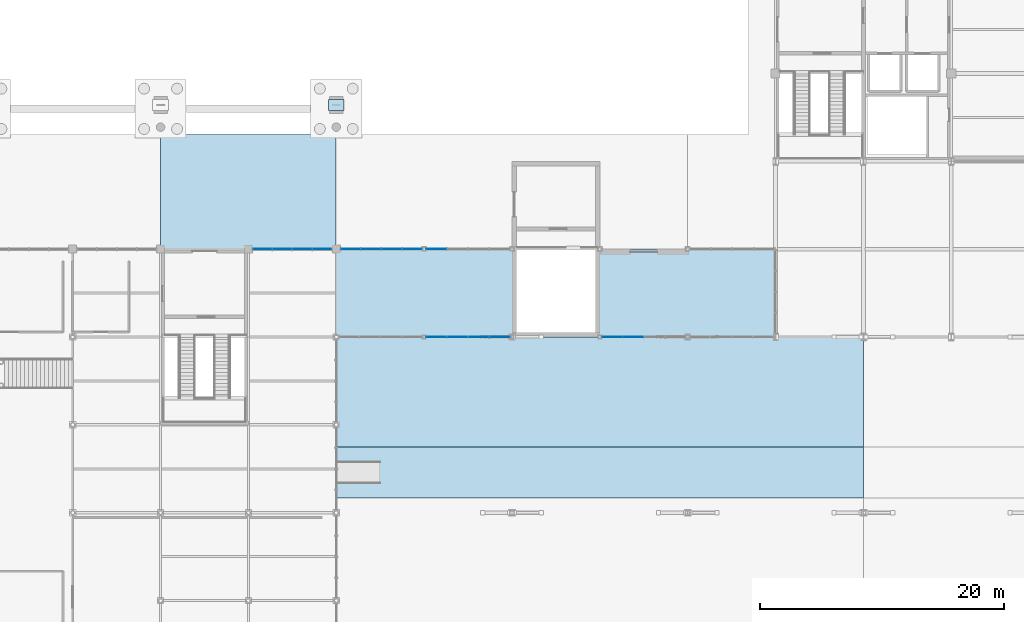
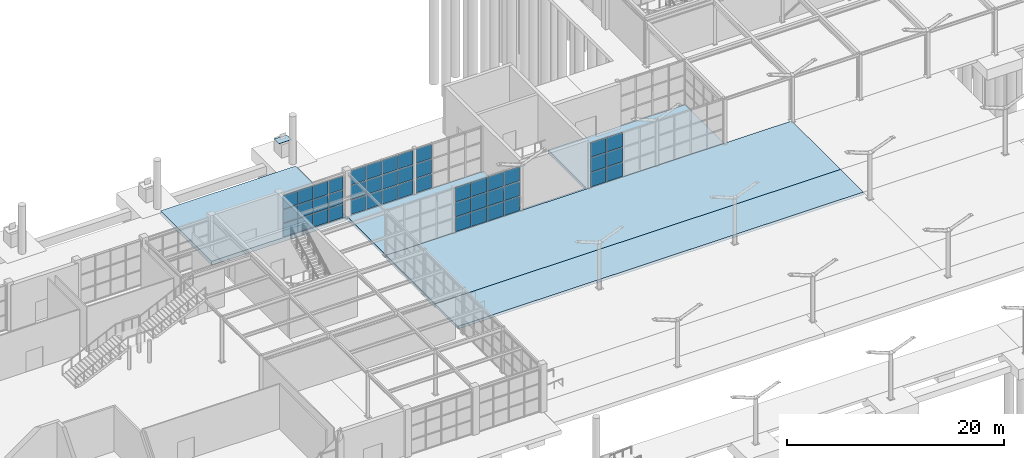
# One storey, part 46 of 75: 46 plates, 4 slabs, 5 elements without a shape of their own.
"""IFC4 building model written with IfcOpenShell, lengths in metres."""

from ifc_helpers import new_model, si_unit, direction, frame, origin, origin_2d, place, context, subcontext, project, spatial, polyline, rectangle, outline, extrude, material, layer, layer_set, type_object, element, aggregate, save


model = new_model("IFC4")

# Units and contexts
model_context = context("Model", 3, precision=1e-05, world=origin(), true_north=direction((0.0, 1.0)))
body_context = subcontext(model_context, "Body", "Model", "MODEL_VIEW")
ifc_project = project(units=[si_unit("LENGTHUNIT", "METRE"), si_unit("AREAUNIT", "SQUARE_METRE"), si_unit("VOLUMEUNIT", "CUBIC_METRE"), si_unit("PLANEANGLEUNIT", "RADIAN"), si_unit("MASSUNIT", "GRAM", prefix="KILO")], contexts=[model_context])

# Site, building, storey
site_placement = place(None, origin())
site = spatial("IfcSite", under=ifc_project, at=site_placement, CompositionType="ELEMENT")
building_placement = place(site_placement, origin())
building = spatial("IfcBuilding", under=site, at=building_placement, Name="Leyfeld Transit Interchange", CompositionType="ELEMENT")
storey_placement = place(building_placement, origin())
storey = spatial("IfcBuildingStorey", under=building, at=storey_placement, Name="L00", CompositionType="ELEMENT", Elevation=0.0)

# Curtain wall, plates
ifc_material_1 = material(Name="Anodised aluminium EN AW-6060 T66", Category="aluminium")
curtain_wall_type_1 = type_object("IfcCurtainWallType", Name="CW-SYS-PAS-7200", PredefinedType="NOTDEFINED", material=ifc_material_1)
curtain_wall_1_placement = place(storey_placement, origin())
curtain_wall_1 = element("IfcCurtainWall", 1, at=curtain_wall_1_placement, inside=storey, type_object=curtain_wall_type_1, Name="Curtain Wall CW-L00-020", PredefinedType="NOTDEFINED")
ifc_material_2 = material(Name="Triple low-E insulated glazing", Category="glass")
ifc_layer_1 = layer(ifc_material_2, 0.0380859375, Name="Triple low-E insulated glazing")
ifc_layer_set_1 = layer_set([ifc_layer_1], Name="Triple low-E insulated glazing")
plate_type_1 = type_object("IfcPlateType", Name="CW-PNL-GLZ-38", PredefinedType="CURTAIN_PANEL", material=ifc_layer_set_1)
plate_1_placement = place(storey_placement, frame((101.97998046875, 50.39990234375, 0.073486328125), z_axis=(0.0, 0.0, 1.0), x_axis=(1.0, 0.0, 0.0)))
plate_1 = element("IfcPlate", 2, at=plate_1_placement, type_object=plate_type_1, Name="Glazed Curtain Panel CW-L00-020-P01_1", PredefinedType="CURTAIN_PANEL", context=body_context, shape_type="SweptSolid", body=[
    extrude(rectangle(XDim=1.5830078125, YDim=0.0380859375, at=origin_2d()), origin(), (0.0, 0.0, 1.0), 1.60302734375),
])
plate_2_placement = place(storey_placement, frame((101.97998046875, 50.39990234375, 1.74853515625), z_axis=(0.0, 0.0, 1.0), x_axis=(1.0, 0.0, 0.0)))
plate_2 = element("IfcPlate", 3, at=plate_2_placement, type_object=plate_type_1, Name="Glazed Curtain Panel CW-L00-020-P01_2", PredefinedType="CURTAIN_PANEL", context=body_context, shape_type="SweptSolid", body=[
    extrude(rectangle(XDim=1.5830078125, YDim=0.0380859375, at=origin_2d()), origin(), (0.0, 0.0, 1.0), 1.60302734375),
])
plate_3_placement = place(storey_placement, frame((101.97998046875, 50.39990234375, 3.423583984375), z_axis=(0.0, 0.0, 1.0), x_axis=(1.0, 0.0, 0.0)))
plate_3 = element("IfcPlate", 4, at=plate_3_placement, type_object=plate_type_1, Name="Glazed Curtain Panel CW-L00-020-P01_3", PredefinedType="CURTAIN_PANEL", context=body_context, shape_type="SweptSolid", body=[
    extrude(rectangle(XDim=1.5830078125, YDim=0.0380859375, at=origin_2d()), origin(), (0.0, 0.0, 1.0), 1.60302734375),
])
plate_4_placement = place(storey_placement, frame((103.65380859375, 50.39990234375, 0.073486328125), z_axis=(0.0, 0.0, 1.0), x_axis=(1.0, 0.0, 0.0)))
plate_4 = element("IfcPlate", 5, at=plate_4_placement, type_object=plate_type_1, Name="Glazed Curtain Panel CW-L00-020-P02_1", PredefinedType="CURTAIN_PANEL", context=body_context, shape_type="SweptSolid", body=[
    extrude(rectangle(XDim=1.62060546875, YDim=0.0380859375, at=origin_2d()), origin(), (0.0, 0.0, 1.0), 1.60302734375),
])
plate_5_placement = place(storey_placement, frame((103.65380859375, 50.39990234375, 1.74853515625), z_axis=(0.0, 0.0, 1.0), x_axis=(1.0, 0.0, 0.0)))
plate_5 = element("IfcPlate", 6, at=plate_5_placement, type_object=plate_type_1, Name="Glazed Curtain Panel CW-L00-020-P02_2", PredefinedType="CURTAIN_PANEL", context=body_context, shape_type="SweptSolid", body=[
    extrude(rectangle(XDim=1.62060546875, YDim=0.0380859375, at=origin_2d()), origin(), (0.0, 0.0, 1.0), 1.60302734375),
])
plate_6_placement = place(storey_placement, frame((103.65380859375, 50.39990234375, 3.423583984375), z_axis=(0.0, 0.0, 1.0), x_axis=(1.0, 0.0, 0.0)))
plate_6 = element("IfcPlate", 7, at=plate_6_placement, type_object=plate_type_1, Name="Glazed Curtain Panel CW-L00-020-P02_3", PredefinedType="CURTAIN_PANEL", context=body_context, shape_type="SweptSolid", body=[
    extrude(rectangle(XDim=1.62060546875, YDim=0.0380859375, at=origin_2d()), origin(), (0.0, 0.0, 1.0), 1.60302734375),
])
plate_7_placement = place(storey_placement, frame((105.34619140625, 50.39990234375, 0.073486328125), z_axis=(0.0, 0.0, 1.0), x_axis=(1.0, 0.0, 0.0)))
plate_7 = element("IfcPlate", 8, at=plate_7_placement, type_object=plate_type_1, Name="Glazed Curtain Panel CW-L00-020-P03_1", PredefinedType="CURTAIN_PANEL", context=body_context, shape_type="SweptSolid", body=[
    extrude(rectangle(XDim=1.62060546875, YDim=0.0380859375, at=origin_2d()), origin(), (0.0, 0.0, 1.0), 1.60302734375),
])
plate_8_placement = place(storey_placement, frame((105.34619140625, 50.39990234375, 1.74853515625), z_axis=(0.0, 0.0, 1.0), x_axis=(1.0, 0.0, 0.0)))
plate_8 = element("IfcPlate", 9, at=plate_8_placement, type_object=plate_type_1, Name="Glazed Curtain Panel CW-L00-020-P03_2", PredefinedType="CURTAIN_PANEL", context=body_context, shape_type="SweptSolid", body=[
    extrude(rectangle(XDim=1.62060546875, YDim=0.0380859375, at=origin_2d()), origin(), (0.0, 0.0, 1.0), 1.60302734375),
])
plate_9_placement = place(storey_placement, frame((105.34619140625, 50.39990234375, 3.423583984375), z_axis=(0.0, 0.0, 1.0), x_axis=(1.0, 0.0, 0.0)))
plate_9 = element("IfcPlate", 10, at=plate_9_placement, type_object=plate_type_1, Name="Glazed Curtain Panel CW-L00-020-P03_3", PredefinedType="CURTAIN_PANEL", context=body_context, shape_type="SweptSolid", body=[
    extrude(rectangle(XDim=1.62060546875, YDim=0.0380859375, at=origin_2d()), origin(), (0.0, 0.0, 1.0), 1.60302734375),
])
plate_10_placement = place(storey_placement, frame((107.02001953125, 50.39990234375, 0.073486328125), z_axis=(0.0, 0.0, 1.0), x_axis=(1.0, 0.0, 0.0)))
plate_10 = element("IfcPlate", 11, at=plate_10_placement, type_object=plate_type_1, Name="Glazed Curtain Panel CW-L00-020-P04_1", PredefinedType="CURTAIN_PANEL", context=body_context, shape_type="SweptSolid", body=[
    extrude(rectangle(XDim=1.5830078125, YDim=0.0380859375, at=origin_2d()), origin(), (0.0, 0.0, 1.0), 1.60302734375),
])
plate_11_placement = place(storey_placement, frame((107.02001953125, 50.39990234375, 1.74853515625), z_axis=(0.0, 0.0, 1.0), x_axis=(1.0, 0.0, 0.0)))
plate_11 = element("IfcPlate", 12, at=plate_11_placement, type_object=plate_type_1, Name="Glazed Curtain Panel CW-L00-020-P04_2", PredefinedType="CURTAIN_PANEL", context=body_context, shape_type="SweptSolid", body=[
    extrude(rectangle(XDim=1.5830078125, YDim=0.0380859375, at=origin_2d()), origin(), (0.0, 0.0, 1.0), 1.60302734375),
])
plate_12_placement = place(storey_placement, frame((107.02001953125, 50.39990234375, 3.423583984375), z_axis=(0.0, 0.0, 1.0), x_axis=(1.0, 0.0, 0.0)))
plate_12 = element("IfcPlate", 13, at=plate_12_placement, type_object=plate_type_1, Name="Glazed Curtain Panel CW-L00-020-P04_3", PredefinedType="CURTAIN_PANEL", context=body_context, shape_type="SweptSolid", body=[
    extrude(rectangle(XDim=1.5830078125, YDim=0.0380859375, at=origin_2d()), origin(), (0.0, 0.0, 1.0), 1.60302734375),
])
aggregate(curtain_wall_1, [plate_1, plate_2, plate_3, plate_4, plate_5, plate_6, plate_7, plate_8, plate_9, plate_10, plate_11, plate_12])

curtain_wall_2_placement = place(storey_placement, origin())
curtain_wall_2 = element("IfcCurtainWall", 14, at=curtain_wall_2_placement, inside=storey, type_object=curtain_wall_type_1, Name="Curtain Wall CW-L00-021", PredefinedType="NOTDEFINED")
plate_13_placement = place(storey_placement, frame((109.0048828125, 50.39990234375, 0.073486328125), z_axis=(0.0, 0.0, 1.0), x_axis=(1.0, 0.0, 0.0)))
plate_13 = element("IfcPlate", 15, at=plate_13_placement, type_object=plate_type_1, Name="Glazed Curtain Panel CW-L00-021-P01_1", PredefinedType="CURTAIN_PANEL", context=body_context, shape_type="SweptSolid", body=[
    extrude(rectangle(XDim=1.633056640625, YDim=0.0380859375, at=origin_2d()), origin(), (0.0, 0.0, 1.0), 1.60302734375),
])
plate_14_placement = place(storey_placement, frame((109.0048828125, 50.39990234375, 1.74853515625), z_axis=(0.0, 0.0, 1.0), x_axis=(1.0, 0.0, 0.0)))
plate_14 = element("IfcPlate", 16, at=plate_14_placement, type_object=plate_type_1, Name="Glazed Curtain Panel CW-L00-021-P01_2", PredefinedType="CURTAIN_PANEL", context=body_context, shape_type="SweptSolid", body=[
    extrude(rectangle(XDim=1.633056640625, YDim=0.0380859375, at=origin_2d()), origin(), (0.0, 0.0, 1.0), 1.60302734375),
])
plate_15_placement = place(storey_placement, frame((109.0048828125, 50.39990234375, 3.423583984375), z_axis=(0.0, 0.0, 1.0), x_axis=(1.0, 0.0, 0.0)))
plate_15 = element("IfcPlate", 17, at=plate_15_placement, type_object=plate_type_1, Name="Glazed Curtain Panel CW-L00-021-P01_3", PredefinedType="CURTAIN_PANEL", context=body_context, shape_type="SweptSolid", body=[
    extrude(rectangle(XDim=1.633056640625, YDim=0.0380859375, at=origin_2d()), origin(), (0.0, 0.0, 1.0), 1.60302734375),
])
aggregate(curtain_wall_2, [plate_13, plate_14, plate_15])

curtain_wall_3_placement = place(storey_placement, origin())
curtain_wall_3 = element("IfcCurtainWall", 18, at=curtain_wall_3_placement, inside=storey, type_object=curtain_wall_type_1, Name="Curtain Wall CW-L00-025", PredefinedType="NOTDEFINED")
plate_16_placement = place(storey_placement, frame((125.12890625, 43.199951171875, 0.073486328125), z_axis=(0.0, 0.0, 1.0), x_axis=(-1.0, 0.0, 0.0)))
plate_16 = element("IfcPlate", 19, at=plate_16_placement, type_object=plate_type_1, Name="Glazed Curtain Panel CW-L00-025-P03_1", PredefinedType="CURTAIN_PANEL", context=body_context, shape_type="SweptSolid", body=[
    extrude(rectangle(XDim=1.67041015625, YDim=0.0380859375, at=origin_2d()), origin(), (0.0, 0.0, 1.0), 1.60302734375),
])
plate_17_placement = place(storey_placement, frame((125.12890625, 43.199951171875, 1.74853515625), z_axis=(0.0, 0.0, 1.0), x_axis=(-1.0, 0.0, 0.0)))
plate_17 = element("IfcPlate", 20, at=plate_17_placement, type_object=plate_type_1, Name="Glazed Curtain Panel CW-L00-025-P03_2", PredefinedType="CURTAIN_PANEL", context=body_context, shape_type="SweptSolid", body=[
    extrude(rectangle(XDim=1.67041015625, YDim=0.0380859375, at=origin_2d()), origin(), (0.0, 0.0, 1.0), 1.60302734375),
])
plate_18_placement = place(storey_placement, frame((125.12890625, 43.199951171875, 3.423583984375), z_axis=(0.0, 0.0, 1.0), x_axis=(-1.0, 0.0, 0.0)))
plate_18 = element("IfcPlate", 21, at=plate_18_placement, type_object=plate_type_1, Name="Glazed Curtain Panel CW-L00-025-P03_3", PredefinedType="CURTAIN_PANEL", context=body_context, shape_type="SweptSolid", body=[
    extrude(rectangle(XDim=1.67041015625, YDim=0.0380859375, at=origin_2d()), origin(), (0.0, 0.0, 1.0), 1.60302734375),
])
plate_19_placement = place(storey_placement, frame((123.405029296875, 43.199951171875, 0.073486328125), z_axis=(0.0, 0.0, 1.0), x_axis=(-1.0, 0.0, 0.0)))
plate_19 = element("IfcPlate", 22, at=plate_19_placement, type_object=plate_type_1, Name="Glazed Curtain Panel CW-L00-025-P04_1", PredefinedType="CURTAIN_PANEL", context=body_context, shape_type="SweptSolid", body=[
    extrude(rectangle(XDim=1.633056640625, YDim=0.0380859375, at=origin_2d()), origin(), (0.0, 0.0, 1.0), 1.60302734375),
])
plate_20_placement = place(storey_placement, frame((123.405029296875, 43.199951171875, 1.74853515625), z_axis=(0.0, 0.0, 1.0), x_axis=(-1.0, 0.0, 0.0)))
plate_20 = element("IfcPlate", 23, at=plate_20_placement, type_object=plate_type_1, Name="Glazed Curtain Panel CW-L00-025-P04_2", PredefinedType="CURTAIN_PANEL", context=body_context, shape_type="SweptSolid", body=[
    extrude(rectangle(XDim=1.633056640625, YDim=0.0380859375, at=origin_2d()), origin(), (0.0, 0.0, 1.0), 1.60302734375),
])
plate_21_placement = place(storey_placement, frame((123.405029296875, 43.199951171875, 3.423583984375), z_axis=(0.0, 0.0, 1.0), x_axis=(-1.0, 0.0, 0.0)))
plate_21 = element("IfcPlate", 24, at=plate_21_placement, type_object=plate_type_1, Name="Glazed Curtain Panel CW-L00-025-P04_3", PredefinedType="CURTAIN_PANEL", context=body_context, shape_type="SweptSolid", body=[
    extrude(rectangle(XDim=1.633056640625, YDim=0.0380859375, at=origin_2d()), origin(), (0.0, 0.0, 1.0), 1.60302734375),
])
aggregate(curtain_wall_3, [plate_16, plate_17, plate_18, plate_19, plate_20, plate_21])

curtain_wall_4_placement = place(storey_placement, origin())
curtain_wall_4 = element("IfcCurtainWall", 25, at=curtain_wall_4_placement, inside=storey, type_object=curtain_wall_type_1, Name="Curtain Wall CW-L00-026", PredefinedType="NOTDEFINED")
plate_22_placement = place(storey_placement, frame((114.195068359375, 43.199951171875, 0.073486328125), z_axis=(0.0, 0.0, 1.0), x_axis=(-1.0, 0.0, 0.0)))
plate_22 = element("IfcPlate", 26, at=plate_22_placement, type_object=plate_type_1, Name="Glazed Curtain Panel CW-L00-026-P01_1", PredefinedType="CURTAIN_PANEL", context=body_context, shape_type="SweptSolid", body=[
    extrude(rectangle(XDim=1.633056640625, YDim=0.0380859375, at=origin_2d()), origin(), (0.0, 0.0, 1.0), 1.60302734375),
])
plate_23_placement = place(storey_placement, frame((114.195068359375, 43.199951171875, 1.74853515625), z_axis=(0.0, 0.0, 1.0), x_axis=(-1.0, 0.0, 0.0)))
plate_23 = element("IfcPlate", 27, at=plate_23_placement, type_object=plate_type_1, Name="Glazed Curtain Panel CW-L00-026-P01_2", PredefinedType="CURTAIN_PANEL", context=body_context, shape_type="SweptSolid", body=[
    extrude(rectangle(XDim=1.633056640625, YDim=0.0380859375, at=origin_2d()), origin(), (0.0, 0.0, 1.0), 1.60302734375),
])
plate_24_placement = place(storey_placement, frame((114.195068359375, 43.199951171875, 3.423583984375), z_axis=(0.0, 0.0, 1.0), x_axis=(-1.0, 0.0, 0.0)))
plate_24 = element("IfcPlate", 28, at=plate_24_placement, type_object=plate_type_1, Name="Glazed Curtain Panel CW-L00-026-P01_3", PredefinedType="CURTAIN_PANEL", context=body_context, shape_type="SweptSolid", body=[
    extrude(rectangle(XDim=1.633056640625, YDim=0.0380859375, at=origin_2d()), origin(), (0.0, 0.0, 1.0), 1.60302734375),
])
plate_25_placement = place(storey_placement, frame((112.47119140625, 43.199951171875, 0.073486328125), z_axis=(0.0, 0.0, 1.0), x_axis=(-1.0, 0.0, 0.0)))
plate_25 = element("IfcPlate", 29, at=plate_25_placement, type_object=plate_type_1, Name="Glazed Curtain Panel CW-L00-026-P02_1", PredefinedType="CURTAIN_PANEL", context=body_context, shape_type="SweptSolid", body=[
    extrude(rectangle(XDim=1.67041015625, YDim=0.0380859375, at=origin_2d()), origin(), (0.0, 0.0, 1.0), 1.60302734375),
])
plate_26_placement = place(storey_placement, frame((112.47119140625, 43.199951171875, 1.74853515625), z_axis=(0.0, 0.0, 1.0), x_axis=(-1.0, 0.0, 0.0)))
plate_26 = element("IfcPlate", 30, at=plate_26_placement, type_object=plate_type_1, Name="Glazed Curtain Panel CW-L00-026-P02_2", PredefinedType="CURTAIN_PANEL", context=body_context, shape_type="SweptSolid", body=[
    extrude(rectangle(XDim=1.67041015625, YDim=0.0380859375, at=origin_2d()), origin(), (0.0, 0.0, 1.0), 1.60302734375),
])
plate_27_placement = place(storey_placement, frame((112.47119140625, 43.199951171875, 3.423583984375), z_axis=(0.0, 0.0, 1.0), x_axis=(-1.0, 0.0, 0.0)))
plate_27 = element("IfcPlate", 31, at=plate_27_placement, type_object=plate_type_1, Name="Glazed Curtain Panel CW-L00-026-P02_3", PredefinedType="CURTAIN_PANEL", context=body_context, shape_type="SweptSolid", body=[
    extrude(rectangle(XDim=1.67041015625, YDim=0.0380859375, at=origin_2d()), origin(), (0.0, 0.0, 1.0), 1.60302734375),
])
plate_28_placement = place(storey_placement, frame((110.728759765625, 43.199951171875, 0.073486328125), z_axis=(0.0, 0.0, 1.0), x_axis=(-1.0, 0.0, 0.0)))
plate_28 = element("IfcPlate", 32, at=plate_28_placement, type_object=plate_type_1, Name="Glazed Curtain Panel CW-L00-026-P03_1", PredefinedType="CURTAIN_PANEL", context=body_context, shape_type="SweptSolid", body=[
    extrude(rectangle(XDim=1.67041015625, YDim=0.0380859375, at=origin_2d()), origin(), (0.0, 0.0, 1.0), 1.60302734375),
])
plate_29_placement = place(storey_placement, frame((110.728759765625, 43.199951171875, 1.74853515625), z_axis=(0.0, 0.0, 1.0), x_axis=(-1.0, 0.0, 0.0)))
plate_29 = element("IfcPlate", 33, at=plate_29_placement, type_object=plate_type_1, Name="Glazed Curtain Panel CW-L00-026-P03_2", PredefinedType="CURTAIN_PANEL", context=body_context, shape_type="SweptSolid", body=[
    extrude(rectangle(XDim=1.67041015625, YDim=0.0380859375, at=origin_2d()), origin(), (0.0, 0.0, 1.0), 1.60302734375),
])
plate_30_placement = place(storey_placement, frame((110.728759765625, 43.199951171875, 3.423583984375), z_axis=(0.0, 0.0, 1.0), x_axis=(-1.0, 0.0, 0.0)))
plate_30 = element("IfcPlate", 34, at=plate_30_placement, type_object=plate_type_1, Name="Glazed Curtain Panel CW-L00-026-P03_3", PredefinedType="CURTAIN_PANEL", context=body_context, shape_type="SweptSolid", body=[
    extrude(rectangle(XDim=1.67041015625, YDim=0.0380859375, at=origin_2d()), origin(), (0.0, 0.0, 1.0), 1.60302734375),
])
plate_31_placement = place(storey_placement, frame((109.0048828125, 43.199951171875, 0.073486328125), z_axis=(0.0, 0.0, 1.0), x_axis=(-1.0, 0.0, 0.0)))
plate_31 = element("IfcPlate", 35, at=plate_31_placement, type_object=plate_type_1, Name="Glazed Curtain Panel CW-L00-026-P04_1", PredefinedType="CURTAIN_PANEL", context=body_context, shape_type="SweptSolid", body=[
    extrude(rectangle(XDim=1.633056640625, YDim=0.0380859375, at=origin_2d()), origin(), (0.0, 0.0, 1.0), 1.60302734375),
])
plate_32_placement = place(storey_placement, frame((109.0048828125, 43.199951171875, 1.74853515625), z_axis=(0.0, 0.0, 1.0), x_axis=(-1.0, 0.0, 0.0)))
plate_32 = element("IfcPlate", 36, at=plate_32_placement, type_object=plate_type_1, Name="Glazed Curtain Panel CW-L00-026-P04_2", PredefinedType="CURTAIN_PANEL", context=body_context, shape_type="SweptSolid", body=[
    extrude(rectangle(XDim=1.633056640625, YDim=0.0380859375, at=origin_2d()), origin(), (0.0, 0.0, 1.0), 1.60302734375),
])
plate_33_placement = place(storey_placement, frame((109.0048828125, 43.199951171875, 3.423583984375), z_axis=(0.0, 0.0, 1.0), x_axis=(-1.0, 0.0, 0.0)))
plate_33 = element("IfcPlate", 37, at=plate_33_placement, type_object=plate_type_1, Name="Glazed Curtain Panel CW-L00-026-P04_3", PredefinedType="CURTAIN_PANEL", context=body_context, shape_type="SweptSolid", body=[
    extrude(rectangle(XDim=1.633056640625, YDim=0.0380859375, at=origin_2d()), origin(), (0.0, 0.0, 1.0), 1.60302734375),
])
aggregate(curtain_wall_4, [plate_22, plate_23, plate_24, plate_25, plate_26, plate_27, plate_28, plate_29, plate_30, plate_31, plate_32, plate_33])

curtain_wall_type_2 = type_object("IfcCurtainWallType", Name="CW-SYS-ARC-7200", PredefinedType="NOTDEFINED", material=ifc_material_1)
curtain_wall_5_placement = place(storey_placement, origin())
curtain_wall_5 = element("IfcCurtainWall", 38, at=curtain_wall_5_placement, inside=storey, type_object=curtain_wall_type_2, Name="Curtain Wall CW-L00-019", PredefinedType="NOTDEFINED")
ifc_layer_2 = layer(ifc_material_2, 0.0439453125, Name="Triple low-E insulated glazing")
ifc_layer_set_2 = layer_set([ifc_layer_2], Name="Triple low-E insulated glazing")
plate_type_2 = type_object("IfcPlateType", Name="CW-PNL-GLZ-44", PredefinedType="CURTAIN_PANEL", material=ifc_layer_set_2)
plate_34_placement = place(storey_placement, frame((94.757568359375, 50.39990234375, 0.08349609375), z_axis=(0.0, 0.0, 1.0), x_axis=(1.0, 0.0, 0.0)))
plate_34 = element("IfcPlate", 39, at=plate_34_placement, type_object=plate_type_2, Name="Glazed Curtain Panel CW-L00-019-P01_1", PredefinedType="CURTAIN_PANEL", context=body_context, shape_type="SweptSolid", body=[
    extrude(rectangle(XDim=1.51806640625, YDim=0.0439453125, at=origin_2d()), origin(), (0.0, 0.0, 1.0), 1.48974609375),
])
plate_35_placement = place(storey_placement, frame((94.757568359375, 50.39990234375, 1.6552734375), z_axis=(0.0, 0.0, 1.0), x_axis=(1.0, 0.0, 0.0)))
plate_35 = element("IfcPlate", 40, at=plate_35_placement, type_object=plate_type_2, Name="Glazed Curtain Panel CW-L00-019-P01_2", PredefinedType="CURTAIN_PANEL", context=body_context, shape_type="SweptSolid", body=[
    extrude(rectangle(XDim=1.51806640625, YDim=0.0439453125, at=origin_2d()), origin(), (0.0, 0.0, 1.0), 1.489501953125),
])
plate_36_placement = place(storey_placement, frame((94.757568359375, 50.39990234375, 3.226806640625), z_axis=(0.0, 0.0, 1.0), x_axis=(1.0, 0.0, 0.0)))
plate_36 = element("IfcPlate", 41, at=plate_36_placement, type_object=plate_type_2, Name="Glazed Curtain Panel CW-L00-019-P01_3", PredefinedType="CURTAIN_PANEL", context=body_context, shape_type="SweptSolid", body=[
    extrude(rectangle(XDim=1.51806640625, YDim=0.0439453125, at=origin_2d()), origin(), (0.0, 0.0, 1.0), 1.48974609375),
])
plate_37_placement = place(storey_placement, frame((96.37890625, 50.39990234375, 0.08349609375), z_axis=(0.0, 0.0, 1.0), x_axis=(1.0, 0.0, 0.0)))
plate_37 = element("IfcPlate", 42, at=plate_37_placement, type_object=plate_type_2, Name="Glazed Curtain Panel CW-L00-019-P02_1", PredefinedType="CURTAIN_PANEL", context=body_context, shape_type="SweptSolid", body=[
    extrude(rectangle(XDim=1.560546875, YDim=0.0439453125, at=origin_2d()), origin(), (0.0, 0.0, 1.0), 1.48974609375),
])
plate_38_placement = place(storey_placement, frame((96.37890625, 50.39990234375, 1.6552734375), z_axis=(0.0, 0.0, 1.0), x_axis=(1.0, 0.0, 0.0)))
plate_38 = element("IfcPlate", 43, at=plate_38_placement, type_object=plate_type_2, Name="Glazed Curtain Panel CW-L00-019-P02_2", PredefinedType="CURTAIN_PANEL", context=body_context, shape_type="SweptSolid", body=[
    extrude(rectangle(XDim=1.560546875, YDim=0.0439453125, at=origin_2d()), origin(), (0.0, 0.0, 1.0), 1.489501953125),
])
plate_39_placement = place(storey_placement, frame((96.37890625, 50.39990234375, 3.226806640625), z_axis=(0.0, 0.0, 1.0), x_axis=(1.0, 0.0, 0.0)))
plate_39 = element("IfcPlate", 44, at=plate_39_placement, type_object=plate_type_2, Name="Glazed Curtain Panel CW-L00-019-P02_3", PredefinedType="CURTAIN_PANEL", context=body_context, shape_type="SweptSolid", body=[
    extrude(rectangle(XDim=1.560546875, YDim=0.0439453125, at=origin_2d()), origin(), (0.0, 0.0, 1.0), 1.48974609375),
])
plate_40_placement = place(storey_placement, frame((98.021240234375, 50.39990234375, 0.08349609375), z_axis=(0.0, 0.0, 1.0), x_axis=(1.0, 0.0, 0.0)))
plate_40 = element("IfcPlate", 45, at=plate_40_placement, type_object=plate_type_2, Name="Glazed Curtain Panel CW-L00-019-P03_1", PredefinedType="CURTAIN_PANEL", context=body_context, shape_type="SweptSolid", body=[
    extrude(rectangle(XDim=1.560546875, YDim=0.0439453125, at=origin_2d()), origin(), (0.0, 0.0, 1.0), 1.48974609375),
])
plate_41_placement = place(storey_placement, frame((98.021240234375, 50.39990234375, 1.6552734375), z_axis=(0.0, 0.0, 1.0), x_axis=(1.0, 0.0, 0.0)))
plate_41 = element("IfcPlate", 46, at=plate_41_placement, type_object=plate_type_2, Name="Glazed Curtain Panel CW-L00-019-P03_2", PredefinedType="CURTAIN_PANEL", context=body_context, shape_type="SweptSolid", body=[
    extrude(rectangle(XDim=1.560546875, YDim=0.0439453125, at=origin_2d()), origin(), (0.0, 0.0, 1.0), 1.489501953125),
])
plate_42_placement = place(storey_placement, frame((98.021240234375, 50.39990234375, 3.226806640625), z_axis=(0.0, 0.0, 1.0), x_axis=(1.0, 0.0, 0.0)))
plate_42 = element("IfcPlate", 47, at=plate_42_placement, type_object=plate_type_2, Name="Glazed Curtain Panel CW-L00-019-P03_3", PredefinedType="CURTAIN_PANEL", context=body_context, shape_type="SweptSolid", body=[
    extrude(rectangle(XDim=1.560546875, YDim=0.0439453125, at=origin_2d()), origin(), (0.0, 0.0, 1.0), 1.48974609375),
])
plate_43_placement = place(storey_placement, frame((99.642578125, 50.39990234375, 0.08349609375), z_axis=(0.0, 0.0, 1.0), x_axis=(1.0, 0.0, 0.0)))
plate_43 = element("IfcPlate", 48, at=plate_43_placement, type_object=plate_type_2, Name="Glazed Curtain Panel CW-L00-019-P04_1", PredefinedType="CURTAIN_PANEL", context=body_context, shape_type="SweptSolid", body=[
    extrude(rectangle(XDim=1.51806640625, YDim=0.0439453125, at=origin_2d()), origin(), (0.0, 0.0, 1.0), 1.48974609375),
])
plate_44_placement = place(storey_placement, frame((99.642578125, 50.39990234375, 1.6552734375), z_axis=(0.0, 0.0, 1.0), x_axis=(1.0, 0.0, 0.0)))
plate_44 = element("IfcPlate", 49, at=plate_44_placement, type_object=plate_type_2, Name="Glazed Curtain Panel CW-L00-019-P04_2", PredefinedType="CURTAIN_PANEL", context=body_context, shape_type="SweptSolid", body=[
    extrude(rectangle(XDim=1.51806640625, YDim=0.0439453125, at=origin_2d()), origin(), (0.0, 0.0, 1.0), 1.489501953125),
])
plate_45_placement = place(storey_placement, frame((99.642578125, 50.39990234375, 3.226806640625), z_axis=(0.0, 0.0, 1.0), x_axis=(1.0, 0.0, 0.0)))
plate_45 = element("IfcPlate", 50, at=plate_45_placement, type_object=plate_type_2, Name="Glazed Curtain Panel CW-L00-019-P04_3", PredefinedType="CURTAIN_PANEL", context=body_context, shape_type="SweptSolid", body=[
    extrude(rectangle(XDim=1.51806640625, YDim=0.0439453125, at=origin_2d()), origin(), (0.0, 0.0, 1.0), 1.48974609375),
])
aggregate(curtain_wall_5, [plate_34, plate_35, plate_36, plate_37, plate_38, plate_39, plate_40, plate_41, plate_42, plate_43, plate_44, plate_45])

# Plate
ifc_material_3 = material(Name="Steel S355J2", Category="steel")
ifc_layer_3 = layer(ifc_material_3, 0.035888671875, Name="Steel S355J2")
ifc_layer_set_3 = layer_set([ifc_layer_3], Name="Steel S355J2")
plate_type_3 = type_object("IfcPlateType", Name="PLT-BASE-36", PredefinedType="USERDEFINED", material=ifc_layer_set_3)
plate_46_placement = place(storey_placement, frame((100.800048828125, 62.199951171875, 1.5), z_axis=(0.0, 0.0, 1.0), x_axis=(1.0, 0.0, 0.0)))
element("IfcPlate", 51, at=plate_46_placement, inside=storey, type_object=plate_type_3, Name="Arch Baseplate GP-E 12", ObjectType="BASE_PLATE", PredefinedType="USERDEFINED", context=body_context, shape_type="SweptSolid", body=[
    extrude(rectangle(XDim=1.300048828125, YDim=0.89990234375, at=origin_2d()), origin(), (0.0, 0.0, 1.0), 0.035888671875),
])

# Slabs
ifc_material_4 = material(Name="Concrete C35/45", Category="concrete")
ifc_layer_4 = layer(ifc_material_4, 0.360107421875, Name="Concrete C35/45")
ifc_layer_set_4 = layer_set([ifc_layer_4], Name="Concrete C35/45")
slab_type_1 = type_object("IfcSlabType", Name="SLB-FLR-360", PredefinedType="FLOOR", material=ifc_layer_set_4)
slab_1_placement = place(storey_placement, frame((0.0, 0.0, -0.360107421875)))
element("IfcSlab", 52, at=slab_1_placement, inside=storey, type_object=slab_type_1, Name="Slab PASS_EW L00 B1", PredefinedType="FLOOR", context=body_context, shape_type="SweptSolid", body=[
    extrude(outline(polyline([(100.824951171875, 50.39990234375), (100.824951171875, 43.199951171875), (136.800048828125, 43.199951171875), (136.800048828125, 50.39990234375), (122.215087890625, 50.39990234375), (122.215087890625, 43.385009765625), (115.385009765625, 43.385009765625), (115.385009765625, 50.39990234375), (100.824951171875, 50.39990234375)])), origin(), (0.0, 0.0, 1.0), 0.360107421875),
])
ifc_layer_5 = layer(ifc_material_4, 0.300048828125, Name="Concrete C35/45")
ifc_layer_set_5 = layer_set([ifc_layer_5], Name="Concrete C35/45")
slab_type_2 = type_object("IfcSlabType", Name="SLB-TERR-300", PredefinedType="FLOOR", material=ifc_layer_set_5)
slab_2_placement = place(storey_placement, frame((0.0, 0.0, -0.300048828125)))
element("IfcSlab", 53, at=slab_2_placement, inside=storey, type_object=slab_type_2, Name="Outdoor Roof Terrace V2_ISL3 L00", PredefinedType="FLOOR", context=body_context, shape_type="SweptSolid", body=[
    extrude(outline(polyline([(144.0, 34.199951171875), (100.824951171875, 34.199951171875), (100.824951171875, 30.0), (144.0, 30.0), (144.0, 34.199951171875)])), origin(), (0.0, 0.0, 1.0), 0.300048828125),
])
ifc_material_5 = material(Name="Concrete C40/50", Category="concrete")
ifc_layer_6 = layer(ifc_material_5, 0.449951171875, Name="Concrete C40/50")
ifc_layer_set_6 = layer_set([ifc_layer_6], Name="Concrete C40/50")
slab_type_3 = type_object("IfcSlabType", Name="SLB-TRF-450", PredefinedType="FLOOR", material=ifc_layer_set_6)
slab_3_placement = place(storey_placement, frame((0.0, 0.0, -0.449951171875)))
element("IfcSlab", 54, at=slab_3_placement, inside=storey, type_object=slab_type_3, Name="Outdoor Roof Terrace PLZ_LID3 L00", PredefinedType="FLOOR", context=body_context, shape_type="SweptSolid", body=[
    extrude(outline(polyline([(100.77490234375, 50.39990234375), (100.77490234375, 59.800048828125), (86.39990234375, 59.800048828125), (86.39990234375, 50.39990234375), (100.77490234375, 50.39990234375), (100.77490234375, 50.39990234375)])), origin(), (0.0, 0.0, 1.0), 0.449951171875),
])
slab_4_placement = place(storey_placement, frame((0.0, 0.0, -0.449951171875)))
element("IfcSlab", 55, at=slab_4_placement, inside=storey, type_object=slab_type_3, Name="Outdoor Roof Terrace PLZ_LID5 L00", PredefinedType="FLOOR", context=body_context, shape_type="SweptSolid", body=[
    extrude(outline(polyline([(100.824951171875, 43.199951171875), (100.824951171875, 34.199951171875), (144.0, 34.199951171875), (144.0, 43.199951171875), (136.800048828125, 43.199951171875), (100.824951171875, 43.199951171875)])), origin(), (0.0, 0.0, 1.0), 0.449951171875),
])

save(model, "model.ifc")
